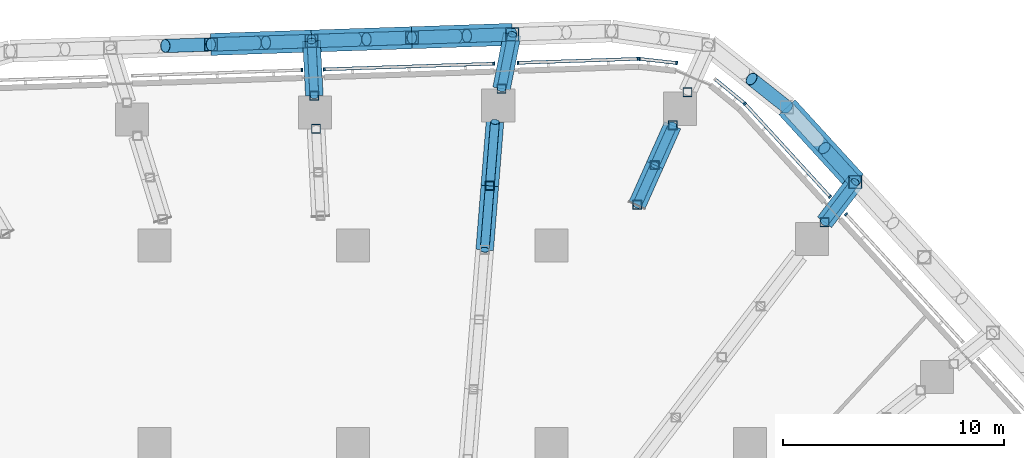
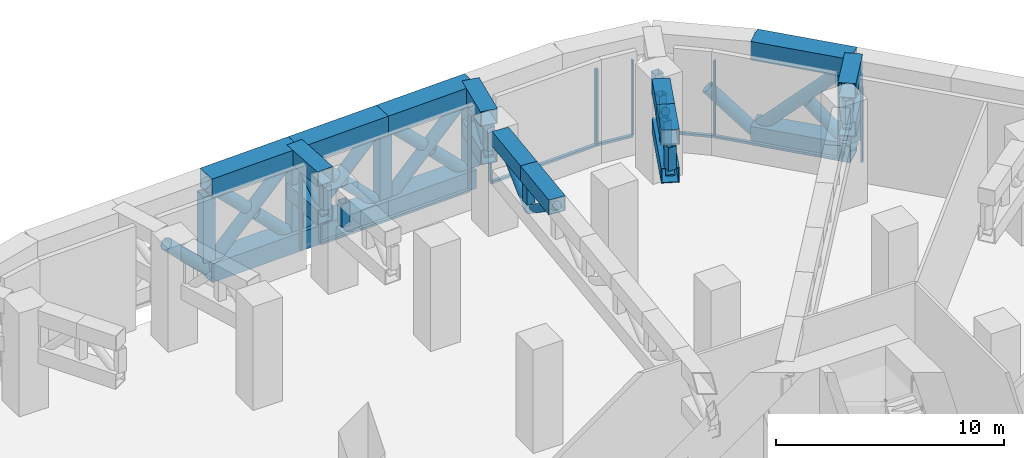
# One storey, part 14 of 38: 68 members, 3 elements without a shape of their own.
"""IFC4 building model written with IfcOpenShell, lengths in metres."""

from ifc_helpers import new_model, si_unit, direction, frame, origin, origin_2d, place, context, subcontext, project, spatial, rectangle, hollow_rectangle, hollow_circle, extrude, material, layer, layer_set, material_profile, profile_set, type_object, element, aggregate, save


model = new_model("IFC4")

# Units and contexts
model_context = context("Model", 3, precision=1e-05, world=origin(), true_north=direction((0.0, 1.0)))
body_context = subcontext(model_context, "Body", "Model", "MODEL_VIEW")
ifc_project = project(units=[si_unit("LENGTHUNIT", "METRE"), si_unit("AREAUNIT", "SQUARE_METRE"), si_unit("VOLUMEUNIT", "CUBIC_METRE"), si_unit("PLANEANGLEUNIT", "RADIAN"), si_unit("MASSUNIT", "GRAM", prefix="KILO")], contexts=[model_context])

# Site, building, storey
site_placement = place(None, origin())
site = spatial("IfcSite", under=ifc_project, at=site_placement, CompositionType="ELEMENT")
building_placement = place(site_placement, origin())
building = spatial("IfcBuilding", under=site, at=building_placement, Name="Dongbaek Canopy Tower", CompositionType="ELEMENT")
storey_placement = place(building_placement, frame((0.0, 0.0, 89.199951171875)))
storey = spatial("IfcBuildingStorey", under=building, at=storey_placement, Name="L18", CompositionType="ELEMENT", Elevation=89.199951171875)

# Members
ifc_material_1 = material(Name="Steel S355", Category="steel")
ifc_material_profile_1 = material_profile(ifc_material_1, hollow_circle(Radius=0.304931640625, WallThickness=0.01611328125, at=origin_2d()), Name="BELT BRACE CHS 610.0x16.0 Steel S355")
ifc_profile_set_1 = profile_set([ifc_material_profile_1], Name="Steel S355")
member_type_1 = type_object("IfcMemberType", Name="BELT BRACE CHS 610.0x16.0 Steel S355", PredefinedType="BRACE", material=ifc_profile_set_1)
member_1_placement = place(storey_placement, frame((-6.436279296875, 36.10888671875, 0.5), z_axis=(-0.707786585212, -0.023682147507, 0.706029252711), x_axis=(0.033440732886, -0.999440702285, 0.0)))
element("IfcMember", 1, at=member_1_placement, inside=storey, type_object=member_type_1, Name="BELT:L18:14:D0:1", PredefinedType="BRACE", context=body_context, shape_type="SweptSolid", body=[
    extrude(hollow_circle(Radius=0.304931640625, WallThickness=0.01611328125, at=origin_2d()), origin(), (0.0, 0.0, 1.0), 2.91748046875),
])
member_2_placement = place(storey_placement, frame((-6.436279296875, 36.10888671875, 0.5), z_axis=(0.70777869753, 0.023715113454, 0.706036053411), x_axis=(-0.033487603554, 0.999439132918, 0.0)))
element("IfcMember", 2, at=member_2_placement, inside=storey, type_object=member_type_1, Name="BELT:L18:14:D1:0", PredefinedType="BRACE", context=body_context, shape_type="SweptSolid", body=[
    extrude(hollow_circle(Radius=0.304931640625, WallThickness=0.01611328125, at=origin_2d()), origin(), (0.0, 0.0, 1.0), 6.444580078125),
])
for number, where, z_axis, x_axis, name in (
    (3, (-1.875, 36.26171875, 0.5), (-0.707744820741, -0.023683550227, 0.706071071609), (0.03344468267, -0.99944057012, 0.0), "BELT:L18:14:D1:1"),
    (4, (-6.436279296875, 36.10888671875, 5.050048828125), (0.707744820741, 0.023683550227, -0.706071071609), (-0.03344468267, 0.99944057012, 0.0), "BELT:L18:14:D1:2"),
):
    element("IfcMember", number, at=place(storey_placement, frame(where, z_axis=z_axis, x_axis=x_axis)), inside=storey, type_object=member_type_1, Name=name, PredefinedType="BRACE", context=body_context, shape_type="SweptSolid", body=[
        extrude(hollow_circle(Radius=0.304931640625, WallThickness=0.01611328125, at=origin_2d()), origin(), (0.0, 0.0, 1.0), 2.917236328125),
    ])
member_3_placement = place(storey_placement, frame((-1.875, 36.26171875, 0.5), z_axis=(0.706890350067, 0.023631288264, 0.706928281509), x_axis=(-0.033411256262, 0.999441688121, 0.0)))
element("IfcMember", 5, at=member_3_placement, inside=storey, type_object=member_type_1, Name="BELT:L18:15:D0:0", PredefinedType="BRACE", context=body_context, shape_type="SweptSolid", body=[
    extrude(hollow_circle(Radius=0.304931640625, WallThickness=0.01611328125, at=origin_2d()), origin(), (0.0, 0.0, 1.0), 6.436279296875),
])
member_4_placement = place(storey_placement, frame((2.6748046875, 36.413818359375, 0.5), z_axis=(-0.706867400689, -0.023632081446, 0.706951202396), x_axis=(0.033413460021, -0.999441614448, 0.0)))
element("IfcMember", 6, at=member_4_placement, inside=storey, type_object=member_type_1, Name="BELT:L18:15:D0:1", PredefinedType="BRACE", context=body_context, shape_type="SweptSolid", body=[
    extrude(hollow_circle(Radius=0.304931640625, WallThickness=0.01611328125, at=origin_2d()), origin(), (0.0, 0.0, 1.0), 2.913330078125),
])
member_5_placement = place(storey_placement, frame((-1.875, 36.26171875, 5.050048828125), z_axis=(0.706909279381, 0.023633481539, -0.706909279381), x_axis=(-0.033413460021, 0.999441614448, 0.0)))
element("IfcMember", 7, at=member_5_placement, inside=storey, type_object=member_type_1, Name="BELT:L18:15:D0:2", PredefinedType="BRACE", context=body_context, shape_type="SweptSolid", body=[
    extrude(hollow_circle(Radius=0.304931640625, WallThickness=0.01611328125, at=origin_2d()), origin(), (0.0, 0.0, 1.0), 2.9130859375),
])
member_6_placement = place(storey_placement, frame((2.6748046875, 36.413818359375, 0.5), z_axis=(0.706889715925, 0.023669198473, 0.706927647333), x_axis=(-0.033464825875, 0.999439895856, 0.0)))
element("IfcMember", 8, at=member_6_placement, inside=storey, type_object=member_type_1, Name="BELT:L18:15:D1:0", PredefinedType="BRACE", context=body_context, shape_type="SweptSolid", body=[
    extrude(hollow_circle(Radius=0.304931640625, WallThickness=0.01611328125, at=origin_2d()), origin(), (0.0, 0.0, 1.0), 6.436279296875),
])
member_7_placement = place(storey_placement, frame((7.224609375, 36.566162109375, 0.5), z_axis=(-0.706867400689, -0.023632081446, 0.706951202396), x_axis=(0.033413460021, -0.999441614448, 0.0)))
element("IfcMember", 9, at=member_7_placement, inside=storey, type_object=member_type_1, Name="BELT:L18:15:D1:1", PredefinedType="BRACE", context=body_context, shape_type="SweptSolid", body=[
    extrude(hollow_circle(Radius=0.304931640625, WallThickness=0.01611328125, at=origin_2d()), origin(), (0.0, 0.0, 1.0), 2.913330078125),
])
member_8_placement = place(storey_placement, frame((2.6748046875, 36.413818359375, 5.050048828125), z_axis=(0.706907876768, 0.023717241153, -0.706907876768), x_axis=(-0.033531814477, 0.99943765059, 0.0)))
element("IfcMember", 10, at=member_8_placement, inside=storey, type_object=member_type_1, Name="BELT:L18:15:D1:2", PredefinedType="BRACE", context=body_context, shape_type="SweptSolid", body=[
    extrude(hollow_circle(Radius=0.304931640625, WallThickness=0.01611328125, at=origin_2d()), origin(), (0.0, 0.0, 1.0), 2.9130859375),
])
member_9_placement = place(storey_placement, frame((19.67529296875, 33.265380859375, 0.5), z_axis=(-0.553096039164, 0.438815834321, 0.708184605178), x_axis=(-0.621528129287, -0.78339184608, 0.0)))
element("IfcMember", 11, at=member_9_placement, inside=storey, type_object=member_type_1, Name="BELT:L18:17:D0:1", PredefinedType="BRACE", context=body_context, shape_type="SweptSolid", body=[
    extrude(hollow_circle(Radius=0.304931640625, WallThickness=0.01611328125, at=origin_2d()), origin(), (0.0, 0.0, 1.0), 2.907470703125),
])
member_10_placement = place(storey_placement, frame((19.67529296875, 33.265380859375, 0.5), z_axis=(0.479109796888, -0.524214038589, 0.704026593441), x_axis=(0.738149139204, 0.6746375681, 0.0)))
element("IfcMember", 12, at=member_10_placement, inside=storey, type_object=member_type_1, Name="BELT:L18:17:D1:0", PredefinedType="BRACE", context=body_context, shape_type="SweptSolid", body=[
    extrude(hollow_circle(Radius=0.304931640625, WallThickness=0.01611328125, at=origin_2d()), origin(), (0.0, 0.0, 1.0), 6.462890625),
])
member_11_placement = place(storey_placement, frame((22.771728515625, 29.87744140625, 0.5), z_axis=(-0.479103599596, 0.524235942863, 0.704014500607), x_axis=(-0.738167522248, -0.674617453894, 0.0)))
element("IfcMember", 13, at=member_11_placement, inside=storey, type_object=member_type_1, Name="BELT:L18:17:D1:1", PredefinedType="BRACE", context=body_context, shape_type="SweptSolid", body=[
    extrude(hollow_circle(Radius=0.304931640625, WallThickness=0.01611328125, at=origin_2d()), origin(), (0.0, 0.0, 1.0), 2.926513671875),
])
ifc_material_2 = material(Name="Steel S355", Category="steel")
ifc_material_profile_2 = material_profile(ifc_material_2, hollow_rectangle(XDim=1.0, YDim=1.0, WallThickness=0.050048828125, at=origin_2d()), Name="BELT CHORD BOX 1000x1000x50 Steel S355")
ifc_profile_set_2 = profile_set([ifc_material_profile_2], Name="Steel S355")
member_type_2 = type_object("IfcMemberType", Name="BELT CHORD BOX 1000x1000x50 Steel S355", PredefinedType="CHORD", material=ifc_profile_set_2)
for number, where, z_axis, x_axis, name in (
    (14, (-6.436279296875, 36.10888671875, 0.5), (0.999439132918, 0.033487603554, 0.0), (-0.033487603554, 0.999439132918, 0.0), "BELT:L18:14:CB1"),
    (15, (-6.436279296875, 36.10888671875, 5.050048828125), (0.999439132918, 0.033487603554, 0.0), (-0.033487603554, 0.999439132918, 0.0), "BELT:L18:14:CT1"),
):
    element("IfcMember", number, at=place(storey_placement, frame(where, z_axis=z_axis, x_axis=x_axis)), inside=storey, type_object=member_type_2, Name=name, PredefinedType="CHORD", context=body_context, shape_type="SweptSolid", body=[
        extrude(hollow_rectangle(XDim=1.0, YDim=1.0, WallThickness=0.050048828125, at=origin_2d()), origin(), (0.0, 0.0, 1.0), 4.563720703125),
    ])
for number, where, z_axis, x_axis, name in (
    (16, (-1.875, 36.26171875, 0.5), (0.999441688121, 0.033411256262, 0.0), (-0.033411256262, 0.999441688121, 0.0), "BELT:L18:15:CB0"),
    (17, (-1.875, 36.26171875, 5.050048828125), (0.999441688121, 0.033411256262, 0.0), (-0.033411256262, 0.999441688121, 0.0), "BELT:L18:15:CT0"),
    (18, (2.6748046875, 36.413818359375, 0.5), (0.999439895856, 0.033464825875, 0.0), (-0.033464825875, 0.999439895856, 0.0), "BELT:L18:15:CB1"),
    (19, (2.6748046875, 36.413818359375, 5.050048828125), (0.999439895856, 0.033464825875, 0.0), (-0.033464825875, 0.999439895856, 0.0), "BELT:L18:15:CT1"),
):
    element("IfcMember", number, at=place(storey_placement, frame(where, z_axis=z_axis, x_axis=x_axis)), inside=storey, type_object=member_type_2, Name=name, PredefinedType="CHORD", context=body_context, shape_type="SweptSolid", body=[
        extrude(hollow_rectangle(XDim=1.0, YDim=1.0, WallThickness=0.050048828125, at=origin_2d()), origin(), (0.0, 0.0, 1.0), 4.55224609375),
    ])
for number, where, z_axis, x_axis, name in (
    (20, (19.67529296875, 33.265380859375, 0.5), (0.6746375681, -0.738149139204, 0.0), (0.738149139204, 0.6746375681, 0.0), "BELT:L18:17:CB1"),
    (21, (19.67529296875, 33.265380859375, 5.050048828125), (0.6746375681, -0.738149139204, 0.0), (0.738149139204, 0.6746375681, 0.0), "BELT:L18:17:CT1"),
):
    element("IfcMember", number, at=place(storey_placement, frame(where, z_axis=z_axis, x_axis=x_axis)), inside=storey, type_object=member_type_2, Name=name, PredefinedType="CHORD", context=body_context, shape_type="SweptSolid", body=[
        extrude(hollow_rectangle(XDim=1.0, YDim=1.0, WallThickness=0.050048828125, at=origin_2d()), origin(), (0.0, 0.0, 1.0), 4.58984375),
    ])
ifc_material_3 = material(Name="Steel S355", Category="steel")
ifc_material_profile_3 = material_profile(ifc_material_3, hollow_rectangle(XDim=0.60009765625, YDim=0.60009765625, WallThickness=0.031982421875, at=origin_2d()), Name="BELT POST BOX 600x600x32 Steel S355")
ifc_profile_set_3 = profile_set([ifc_material_profile_3], Name="Steel S355")
member_type_3 = type_object("IfcMemberType", Name="BELT POST BOX 600x600x32 Steel S355", PredefinedType="POST", material=ifc_profile_set_3)
for number, where, z_axis, x_axis, name in (
    (22, (-6.436279296875, 36.10888671875, 1.0), (0.0, 0.0, 1.0), (1.0, 0.0, 0.0), "BELT:L18:14:P1"),
    (23, (-1.875, 36.26171875, 1.0), (0.0, 0.0, 1.0), (1.0, 0.0, 0.0), "BELT:L18:15:P0"),
    (24, (2.6748046875, 36.413818359375, 1.0), (0.0, 0.0, 1.0), (1.0, 0.0, 0.0), "BELT:L18:15:P1"),
    (25, (7.224609375, 36.566162109375, 1.0), (0.0, 0.0, 1.0), (1.0, 0.0, 0.0), "BELT:L18:16:P0"),
    (26, (22.771728515625, 29.87744140625, 1.0), (0.0, 0.0, 1.0), (1.0, 0.0, 0.0), "BELT:L18:18:P0"),
):
    element("IfcMember", number, at=place(storey_placement, frame(where, z_axis=z_axis, x_axis=x_axis)), inside=storey, type_object=member_type_3, Name=name, PredefinedType="POST", context=body_context, shape_type="SweptSolid", body=[
        extrude(hollow_rectangle(XDim=0.60009765625, YDim=0.60009765625, WallThickness=0.031982421875, at=origin_2d()), origin(), (0.0, 0.0, 1.0), 3.550048828125),
    ])
ifc_material_4 = material(Name="Steel S355", Category="steel")
ifc_material_profile_4 = material_profile(ifc_material_4, hollow_circle(Radius=0.203125, WallThickness=0.0126953125, at=origin_2d()), Name="BRACE CHS 406.4x12.7 Steel S355")
ifc_profile_set_4 = profile_set([ifc_material_profile_4], Name="Steel S355")
member_type_4 = type_object("IfcMemberType", Name="BRACE CHS 406.4x12.7 Steel S355", PredefinedType="BRACE", material=ifc_profile_set_4)
for number, where, z_axis, x_axis, name in (
    (27, (12.8837890625, 28.837646484375, 3.10009765625), (0.282943088052, 0.633470035875, 0.720179784896), (-0.913060623809, 0.407823855665, 0.0), "TRUSS:L18:17:D0"),
    (28, (13.689208984375, 30.640869140625, 5.150146484375), (0.283021985323, 0.633454661695, -0.72016230629), (-0.913014588027, 0.407926907729, 0.0), "TRUSS:L18:17:D1"),
):
    element("IfcMember", number, at=place(storey_placement, frame(where, z_axis=z_axis, x_axis=x_axis)), inside=storey, type_object=member_type_4, Name=name, PredefinedType="BRACE", context=body_context, shape_type="SweptSolid", body=[
        extrude(hollow_circle(Radius=0.203125, WallThickness=0.0126953125, at=origin_2d()), origin(), (0.0, 0.0, 1.0), 2.8466796875),
    ])
member_12_placement = place(storey_placement, frame((-1.746826171875, 33.781982421875, 3.10009765625), z_axis=(-0.039805880319, 0.770111097913, 0.636666622938), x_axis=(-0.998666820762, -0.051619580673, 0.0)))
element("IfcMember", 29, at=member_12_placement, inside=storey, type_object=member_type_4, Name="TRUSS:L18:15x:D0", PredefinedType="BRACE", context=body_context, shape_type="SweptSolid", body=[
    extrude(hollow_circle(Radius=0.203125, WallThickness=0.0126953125, at=origin_2d()), origin(), (0.0, 0.0, 1.0), 3.219970703125),
])
member_13_placement = place(storey_placement, frame((6.7373046875, 34.09912109375, 3.10009765625), z_axis=(0.150196381468, 0.760387993353, 0.631863234061), x_axis=(-0.981044653656, 0.193781803928, 0.0)))
element("IfcMember", 30, at=member_13_placement, inside=storey, type_object=member_type_4, Name="TRUSS:L18:16x:D0", PredefinedType="BRACE", context=body_context, shape_type="SweptSolid", body=[
    extrude(hollow_circle(Radius=0.203125, WallThickness=0.0126953125, at=origin_2d()), origin(), (0.0, 0.0, 1.0), 3.244384765625),
])
member_14_placement = place(storey_placement, frame((21.376708984375, 28.047119140625, 3.10009765625), z_axis=(0.452631277424, 0.593870613729, 0.665163604572), x_axis=(-0.795329427452, 0.606177450775, 0.0)))
element("IfcMember", 31, at=member_14_placement, inside=storey, type_object=member_type_4, Name="TRUSS:L18:18x:D0", PredefinedType="BRACE", context=body_context, shape_type="SweptSolid", body=[
    extrude(hollow_circle(Radius=0.203125, WallThickness=0.0126953125, at=origin_2d()), origin(), (0.0, 0.0, 1.0), 3.08203125),
])
ifc_material_5 = material(Name="Steel S355", Category="steel")
ifc_material_profile_5 = material_profile(ifc_material_5, hollow_rectangle(XDim=0.800048828125, YDim=0.800048828125, WallThickness=0.0400390625, at=origin_2d()), Name="CHORD BOX 800x800x40 Steel S355")
ifc_profile_set_5 = profile_set([ifc_material_profile_5], Name="Steel S355")
member_type_5 = type_object("IfcMemberType", Name="CHORD BOX 800x800x40 Steel S355", PredefinedType="CHORD", material=ifc_profile_set_5)
member_15_placement = place(storey_placement, frame((12.8837890625, 28.837646484375, 3.10009765625), z_axis=(0.407875383646, 0.913037606792, 0.0), x_axis=(-0.913037606792, 0.407875383646, 0.0)))
element("IfcMember", 32, at=member_15_placement, inside=storey, type_object=member_type_5, Name="TRUSS:L18:17:CB", PredefinedType="CHORD", context=body_context, shape_type="SweptSolid", body=[
    extrude(hollow_rectangle(XDim=0.800048828125, YDim=0.800048828125, WallThickness=0.0400390625, at=origin_2d()), origin(), (0.0, 0.0, 1.0), 3.949951171875),
])
member_16_placement = place(storey_placement, frame((12.8837890625, 28.837646484375, 5.150146484375), z_axis=(0.407823855665, 0.913060623809, 0.0), x_axis=(-0.913060623809, 0.407823855665, 0.0)))
element("IfcMember", 33, at=member_16_placement, inside=storey, type_object=member_type_5, Name="TRUSS:L18:17:CT0", PredefinedType="CHORD", context=body_context, shape_type="SweptSolid", body=[
    extrude(hollow_rectangle(XDim=0.800048828125, YDim=0.800048828125, WallThickness=0.0400390625, at=origin_2d()), origin(), (0.0, 0.0, 1.0), 1.974853515625),
])
member_17_placement = place(storey_placement, frame((13.689208984375, 30.640869140625, 5.150146484375), z_axis=(0.407926907729, 0.913014588027, 0.0), x_axis=(-0.913014588027, 0.407926907729, 0.0)))
element("IfcMember", 34, at=member_17_placement, inside=storey, type_object=member_type_5, Name="TRUSS:L18:17:CT1", PredefinedType="CHORD", context=body_context, shape_type="SweptSolid", body=[
    extrude(hollow_rectangle(XDim=0.800048828125, YDim=0.800048828125, WallThickness=0.0400390625, at=origin_2d()), origin(), (0.0, 0.0, 1.0), 1.97509765625),
])
for number, where, z_axis, x_axis, name in (
    (35, (-1.746826171875, 33.781982421875, 3.10009765625), (-0.051619580673, 0.998666820762, 0.0), (-0.998666820762, -0.051619580673, 0.0), "TRUSS:L18:15x:CB"),
    (36, (-1.746826171875, 33.781982421875, 5.150146484375), (-0.051619580673, 0.998666820762, 0.0), (-0.998666820762, -0.051619580673, 0.0), "TRUSS:L18:15x:CT0"),
):
    element("IfcMember", number, at=place(storey_placement, frame(where, z_axis=z_axis, x_axis=x_axis)), inside=storey, type_object=member_type_5, Name=name, PredefinedType="CHORD", context=body_context, shape_type="SweptSolid", body=[
        extrude(hollow_rectangle(XDim=0.800048828125, YDim=0.800048828125, WallThickness=0.0400390625, at=origin_2d()), origin(), (0.0, 0.0, 1.0), 2.483154296875),
    ])
for number, where, z_axis, x_axis, name in (
    (37, (6.7373046875, 34.09912109375, 3.10009765625), (0.193781803928, 0.981044653656, 0.0), (-0.981044653656, 0.193781803928, 0.0), "TRUSS:L18:16x:CB"),
    (38, (6.7373046875, 34.09912109375, 5.150146484375), (0.193781803928, 0.981044653656, 0.0), (-0.981044653656, 0.193781803928, 0.0), "TRUSS:L18:16x:CT0"),
):
    element("IfcMember", number, at=place(storey_placement, frame(where, z_axis=z_axis, x_axis=x_axis)), inside=storey, type_object=member_type_5, Name=name, PredefinedType="CHORD", context=body_context, shape_type="SweptSolid", body=[
        extrude(hollow_rectangle(XDim=0.800048828125, YDim=0.800048828125, WallThickness=0.0400390625, at=origin_2d()), origin(), (0.0, 0.0, 1.0), 2.5146484375),
    ])
for number, where, z_axis, x_axis, name in (
    (39, (21.376708984375, 28.047119140625, 3.10009765625), (0.606177450775, 0.795329427452, 0.0), (-0.795329427452, 0.606177450775, 0.0), "TRUSS:L18:18x:CB"),
    (40, (21.376708984375, 28.047119140625, 5.150146484375), (0.606177450775, 0.795329427452, 0.0), (-0.795329427452, 0.606177450775, 0.0), "TRUSS:L18:18x:CT0"),
):
    element("IfcMember", number, at=place(storey_placement, frame(where, z_axis=z_axis, x_axis=x_axis)), inside=storey, type_object=member_type_5, Name=name, PredefinedType="CHORD", context=body_context, shape_type="SweptSolid", body=[
        extrude(hollow_rectangle(XDim=0.800048828125, YDim=0.800048828125, WallThickness=0.0400390625, at=origin_2d()), origin(), (0.0, 0.0, 1.0), 2.30126953125),
    ])

# Curtain wall, members
ifc_material_6 = material(Name="Aluminium 6063-T6 pale anodised", Category="aluminium")
ifc_layer = layer(ifc_material_6, 0.14990234375)
ifc_layer_set = layer_set([ifc_layer], Name="CW-7 louvre curtain wall")
curtain_wall_type = type_object("IfcCurtainWallType", Name="CW-7 louvre curtain wall", PredefinedType="NOTDEFINED", material=ifc_layer_set)
curtain_wall_1_placement = place(storey_placement, origin())
curtain_wall_1 = element("IfcCurtainWall", 41, at=curtain_wall_1_placement, inside=storey, type_object=curtain_wall_type, Name="CW-7 louvre wall L18 F0", PredefinedType="NOTDEFINED")
ifc_material_7 = material(Name="Aluminium 6063-T6 pale anodised", Category="aluminium")
ifc_material_profile_6 = material_profile(ifc_material_7, rectangle(XDim=0.14990234375, YDim=0.080078125, at=origin_2d()), Name="CW-7 mullion 80 x 150")
ifc_profile_set_6 = profile_set([ifc_material_profile_6], Name="Aluminium 6063-T6 pale anodised")
member_type_6 = type_object("IfcMemberType", Name="CW-7 mullion 80 x 150", PredefinedType="MULLION", material=ifc_profile_set_6)
member_18_placement = place(storey_placement, frame((22.351318359375, 28.41064453125, 0.775146484375), z_axis=(0.0, 0.0, 1.0), x_axis=(0.738140821352, 0.674646668897, 0.0)))
member_18 = element("IfcMember", 42, at=member_18_placement, type_object=member_type_6, Name="CW-7 mullion L18 F0.3.2", PredefinedType="MULLION", context=body_context, shape_type="SweptSolid", body=[
    extrude(rectangle(XDim=0.14990234375, YDim=0.080078125, at=origin_2d()), origin(), (0.0, 0.0, 1.0), 4.0),
])
member_19_placement = place(storey_placement, frame((21.624755859375, 29.20556640625, 0.775146484375), z_axis=(0.0, 0.0, 1.0), x_axis=(0.738140821352, 0.674646668897, 0.0)))
member_19 = element("IfcMember", 43, at=member_19_placement, type_object=member_type_6, Name="CW-7 mullion L18 F0.4.1", PredefinedType="MULLION", context=body_context, shape_type="SweptSolid", body=[
    extrude(rectangle(XDim=0.14990234375, YDim=0.080078125, at=origin_2d()), origin(), (0.0, 0.0, 1.0), 4.0),
])
member_20_placement = place(storey_placement, frame((17.771240234375, 33.42138671875, 0.775146484375), z_axis=(0.0, 0.0, 1.0), x_axis=(0.738140821352, 0.674646668897, 0.0)))
member_20 = element("IfcMember", 44, at=member_20_placement, type_object=member_type_6, Name="CW-7 mullion L18 F0.4.2", PredefinedType="MULLION", context=body_context, shape_type="SweptSolid", body=[
    extrude(rectangle(XDim=0.14990234375, YDim=0.080078125, at=origin_2d()), origin(), (0.0, 0.0, 1.0), 4.0),
])

curtain_wall_2_placement = place(storey_placement, origin())
curtain_wall_2 = element("IfcCurtainWall", 45, at=curtain_wall_2_placement, inside=storey, type_object=curtain_wall_type, Name="CW-7 louvre wall L18 K1", PredefinedType="NOTDEFINED")
member_21_placement = place(storey_placement, frame((14.6767578125, 35.26708984375, 0.775146484375), z_axis=(0.0, 0.0, 1.0), x_axis=(0.110286668117, 0.993899819316, 0.0)))
member_21 = element("IfcMember", 46, at=member_21_placement, type_object=member_type_6, Name="CW-7 mullion L18 K1.2.1", PredefinedType="MULLION", context=body_context, shape_type="SweptSolid", body=[
    extrude(rectangle(XDim=0.14990234375, YDim=0.080078125, at=origin_2d()), origin(), (0.0, 0.0, 1.0), 4.0),
])
member_22_placement = place(storey_placement, frame((12.9873046875, 35.45458984375, 0.775146484375), z_axis=(0.0, 0.0, 1.0), x_axis=(0.110286668117, 0.993899819316, 0.0)))
member_22 = element("IfcMember", 47, at=member_22_placement, type_object=member_type_6, Name="CW-7 mullion L18 K1.2.2", PredefinedType="MULLION", context=body_context, shape_type="SweptSolid", body=[
    extrude(rectangle(XDim=0.14990234375, YDim=0.080078125, at=origin_2d()), origin(), (0.0, 0.0, 1.0), 4.0),
])

curtain_wall_3_placement = place(storey_placement, origin())
curtain_wall_3 = element("IfcCurtainWall", 48, at=curtain_wall_3_placement, inside=storey, type_object=curtain_wall_type, Name="CW-7 louvre wall L18 F1", PredefinedType="NOTDEFINED")
member_23_placement = place(storey_placement, frame((12.93701171875, 35.45654296875, 0.775146484375), z_axis=(0.0, 0.0, 1.0), x_axis=(-0.033442077166, 0.999440657305, 0.0)))
member_23 = element("IfcMember", 49, at=member_23_placement, type_object=member_type_6, Name="CW-7 mullion L18 F1.1.1", PredefinedType="MULLION", context=body_context, shape_type="SweptSolid", body=[
    extrude(rectangle(XDim=0.14990234375, YDim=0.080078125, at=origin_2d()), origin(), (0.0, 0.0, 1.0), 4.0),
])
member_24_placement = place(storey_placement, frame((7.483154296875, 35.274169921875, 0.775146484375), z_axis=(0.0, 0.0, 1.0), x_axis=(-0.033442077166, 0.999440657305, 0.0)))
member_24 = element("IfcMember", 50, at=member_24_placement, type_object=member_type_6, Name="CW-7 mullion L18 F1.1.2", PredefinedType="MULLION", context=body_context, shape_type="SweptSolid", body=[
    extrude(rectangle(XDim=0.14990234375, YDim=0.080078125, at=origin_2d()), origin(), (0.0, 0.0, 1.0), 4.0),
])
member_25_placement = place(storey_placement, frame((6.384765625, 35.2373046875, 0.775146484375), z_axis=(0.0, 0.0, 1.0), x_axis=(-0.033442077166, 0.999440657305, 0.0)))
member_25 = element("IfcMember", 51, at=member_25_placement, type_object=member_type_6, Name="CW-7 mullion L18 F1.2.1", PredefinedType="MULLION", context=body_context, shape_type="SweptSolid", body=[
    extrude(rectangle(XDim=0.14990234375, YDim=0.080078125, at=origin_2d()), origin(), (0.0, 0.0, 1.0), 4.0),
])
member_26_placement = place(storey_placement, frame((-1.302001953125, 34.97998046875, 0.775146484375), z_axis=(0.0, 0.0, 1.0), x_axis=(-0.033442077166, 0.999440657305, 0.0)))
member_26 = element("IfcMember", 52, at=member_26_placement, type_object=member_type_6, Name="CW-7 mullion L18 F1.2.2", PredefinedType="MULLION", context=body_context, shape_type="SweptSolid", body=[
    extrude(rectangle(XDim=0.14990234375, YDim=0.080078125, at=origin_2d()), origin(), (0.0, 0.0, 1.0), 4.0),
])
member_27_placement = place(storey_placement, frame((-2.30908203125, 34.9462890625, 0.775146484375), z_axis=(0.0, 0.0, 1.0), x_axis=(-0.033442077166, 0.999440657305, 0.0)))
member_27 = element("IfcMember", 53, at=member_27_placement, type_object=member_type_6, Name="CW-7 mullion L18 F1.3.1", PredefinedType="MULLION", context=body_context, shape_type="SweptSolid", body=[
    extrude(rectangle(XDim=0.14990234375, YDim=0.080078125, at=origin_2d()), origin(), (0.0, 0.0, 1.0), 4.0),
])

# Member
ifc_material_8 = material(Name="Aluminium 6063-T6 pale anodised", Category="aluminium")
ifc_material_profile_7 = material_profile(ifc_material_8, rectangle(XDim=0.14990234375, YDim=0.1201171875, at=origin_2d()), Name="CW-7 transom 120 x 150")
ifc_profile_set_7 = profile_set([ifc_material_profile_7], Name="Aluminium 6063-T6 pale anodised")
member_type_7 = type_object("IfcMemberType", Name="CW-7 transom 120 x 150", PredefinedType="USERDEFINED", material=ifc_profile_set_7)
member_28_placement = place(storey_placement, frame((21.624755859375, 29.20556640625, 0.715087890625), z_axis=(-0.674678725965, 0.738111520524, 0.0), x_axis=(-0.738111520524, -0.674678725965, 0.0)))
member_28 = element("IfcMember", 54, at=member_28_placement, type_object=member_type_7, Name="CW-7 transom L18 F0.4", ObjectType="TRANSOM", PredefinedType="USERDEFINED", context=body_context, shape_type="SweptSolid", body=[
    extrude(rectangle(XDim=0.14990234375, YDim=0.1201171875, at=origin_2d()), origin(), (0.0, 0.0, 1.0), 5.711669921875),
])

aggregate(curtain_wall_1, [member_18, member_28, member_19, member_20])

member_29_placement = place(storey_placement, frame((17.73486328125, 33.4560546875, 0.715087890625), z_axis=(-0.773515598628, 0.633777262671, 0.0), x_axis=(-0.633777262671, -0.773515598628, 0.0)))
member_29 = element("IfcMember", 55, at=member_29_placement, type_object=member_type_7, Name="CW-7 transom L18 K1.1", ObjectType="TRANSOM", PredefinedType="USERDEFINED", context=body_context, shape_type="SweptSolid", body=[
    extrude(rectangle(XDim=0.14990234375, YDim=0.1201171875, at=origin_2d()), origin(), (0.0, 0.0, 1.0), 1.699951171875),
])

member_30_placement = place(storey_placement, frame((14.6767578125, 35.26708984375, 0.715087890625), z_axis=(-0.993897739047, 0.110305413813, 0.0), x_axis=(-0.110305413813, -0.993897739047, 0.0)))
member_30 = element("IfcMember", 56, at=member_30_placement, type_object=member_type_7, Name="CW-7 transom L18 K1.2", ObjectType="TRANSOM", PredefinedType="USERDEFINED", context=body_context, shape_type="SweptSolid", body=[
    extrude(rectangle(XDim=0.14990234375, YDim=0.1201171875, at=origin_2d()), origin(), (0.0, 0.0, 1.0), 1.69970703125),
])

aggregate(curtain_wall_2, [member_29, member_30, member_21, member_22])

member_31_placement = place(storey_placement, frame((12.93701171875, 35.45654296875, 0.715087890625), z_axis=(-0.999441375831, -0.033420596613, 0.0), x_axis=(0.033420596613, -0.999441375831, 0.0)))
member_31 = element("IfcMember", 57, at=member_31_placement, type_object=member_type_7, Name="CW-7 transom L18 F1.1", ObjectType="TRANSOM", PredefinedType="USERDEFINED", context=body_context, shape_type="SweptSolid", body=[
    extrude(rectangle(XDim=0.14990234375, YDim=0.1201171875, at=origin_2d()), origin(), (0.0, 0.0, 1.0), 5.456787109375),
])

member_32_placement = place(storey_placement, frame((6.384765625, 35.2373046875, 0.715087890625), z_axis=(-0.999440140572, -0.033457516537, 0.0), x_axis=(0.033457516537, -0.999440140572, 0.0)))
member_32 = element("IfcMember", 58, at=member_32_placement, type_object=member_type_7, Name="CW-7 transom L18 F1.2", ObjectType="TRANSOM", PredefinedType="USERDEFINED", context=body_context, shape_type="SweptSolid", body=[
    extrude(rectangle(XDim=0.14990234375, YDim=0.1201171875, at=origin_2d()), origin(), (0.0, 0.0, 1.0), 7.691162109375),
])

aggregate(curtain_wall_3, [member_31, member_23, member_24, member_32, member_25, member_26, member_27])

# Members
ifc_material_9 = material(Name="Steel S355", Category="steel")
ifc_material_profile_8 = material_profile(ifc_material_9, hollow_circle(Radius=0.203125, WallThickness=0.0126953125, at=origin_2d()), Name="OUTRIGGER BRACE CHS 406.4x12.7 Steel S355")
ifc_profile_set_8 = profile_set([ifc_material_profile_8], Name="Steel S355")
member_type_8 = type_object("IfcMemberType", Name="OUTRIGGER BRACE CHS 406.4x12.7 Steel S355", PredefinedType="BRACE", material=ifc_profile_set_8)
member_33_placement = place(storey_placement, frame((5.973388671875, 26.798095703125, 5.150146484375), z_axis=(0.065640414093, 0.814846519777, -0.57594833557), x_axis=(-0.996771107455, 0.080295450323, 0.0)))
element("IfcMember", 59, at=member_33_placement, inside=storey, type_object=member_type_8, Name="TRUSS:L18:16:D5", PredefinedType="BRACE", context=body_context, shape_type="SweptSolid", body=[
    extrude(hollow_circle(Radius=0.203125, WallThickness=0.0126953125, at=origin_2d()), origin(), (0.0, 0.0, 1.0), 3.559326171875),
])
member_34_placement = place(storey_placement, frame((6.20703125, 29.698486328125, 3.10009765625), z_axis=(0.065705035593, 0.814865895497, 0.575913553109), x_axis=(-0.996764930722, 0.080372090197, 0.0)))
element("IfcMember", 60, at=member_34_placement, inside=storey, type_object=member_type_8, Name="TRUSS:L18:16:D6", PredefinedType="BRACE", context=body_context, shape_type="SweptSolid", body=[
    extrude(hollow_circle(Radius=0.203125, WallThickness=0.0126953125, at=origin_2d()), origin(), (0.0, 0.0, 1.0), 3.5595703125),
])
ifc_material_10 = material(Name="Steel S355", Category="steel")
ifc_material_profile_9 = material_profile(ifc_material_10, hollow_rectangle(XDim=0.800048828125, YDim=0.800048828125, WallThickness=0.0400390625, at=origin_2d()), Name="OUTRIGGER CHORD BOX 800x800x40 Steel S355")
ifc_profile_set_9 = profile_set([ifc_material_profile_9], Name="Steel S355")
member_type_9 = type_object("IfcMemberType", Name="OUTRIGGER CHORD BOX 800x800x40 Steel S355", PredefinedType="CHORD", material=ifc_profile_set_9)
member_35_placement = place(storey_placement, frame((5.973388671875, 26.798095703125, 5.150146484375), z_axis=(0.080295450323, 0.996771107455, 0.0), x_axis=(-0.996771107455, 0.080295450323, 0.0)))
element("IfcMember", 61, at=member_35_placement, inside=storey, type_object=member_type_9, Name="TRUSS:L18:16:CT5", PredefinedType="CHORD", context=body_context, shape_type="SweptSolid", body=[
    extrude(hollow_rectangle(XDim=0.800048828125, YDim=0.800048828125, WallThickness=0.0400390625, at=origin_2d()), origin(), (0.0, 0.0, 1.0), 2.90966796875),
])
member_36_placement = place(storey_placement, frame((6.20703125, 29.698486328125, 5.150146484375), z_axis=(0.080372090197, 0.996764930722, 0.0), x_axis=(-0.996764930722, 0.080372090197, 0.0)))
element("IfcMember", 62, at=member_36_placement, inside=storey, type_object=member_type_9, Name="TRUSS:L18:16:CT6", PredefinedType="CHORD", context=body_context, shape_type="SweptSolid", body=[
    extrude(hollow_rectangle(XDim=0.800048828125, YDim=0.800048828125, WallThickness=0.0400390625, at=origin_2d()), origin(), (0.0, 0.0, 1.0), 2.91015625),
])
ifc_material_11 = material(Name="Steel S355", Category="steel")
ifc_material_profile_10 = material_profile(ifc_material_11, hollow_rectangle(XDim=0.39990234375, YDim=0.39990234375, WallThickness=0.01611328125, at=origin_2d()), Name="OUTRIGGER POST SHS 400x400x16 Steel S355")
ifc_profile_set_10 = profile_set([ifc_material_profile_10], Name="Steel S355")
member_type_10 = type_object("IfcMemberType", Name="OUTRIGGER POST SHS 400x400x16 Steel S355", PredefinedType="POST", material=ifc_profile_set_10)
member_37_placement = place(storey_placement, frame((6.20703125, 29.698486328125, 3.5), z_axis=(0.0, 0.0, 1.0), x_axis=(1.0, 0.0, 0.0)))
element("IfcMember", 63, at=member_37_placement, inside=storey, type_object=member_type_10, Name="TRUSS:L18:16:P6", PredefinedType="POST", context=body_context, shape_type="SweptSolid", body=[
    extrude(hollow_rectangle(XDim=0.39990234375, YDim=0.39990234375, WallThickness=0.01611328125, at=origin_2d()), origin(), (0.0, 0.0, 1.0), 1.25),
])
ifc_material_12 = material(Name="Steel S355", Category="steel")
ifc_material_profile_11 = material_profile(ifc_material_12, hollow_rectangle(XDim=0.39990234375, YDim=0.39990234375, WallThickness=0.01611328125, at=origin_2d()), Name="POST SHS 400x400x16 Steel S355")
ifc_profile_set_11 = profile_set([ifc_material_profile_11], Name="Steel S355")
member_type_11 = type_object("IfcMemberType", Name="POST SHS 400x400x16 Steel S355", PredefinedType="POST", material=ifc_profile_set_11)
for number, where, z_axis, x_axis, name in (
    (64, (-1.669189453125, 32.281982421875, 3.5), (0.0, 0.0, 1.0), (1.0, 0.0, 0.0), "TRUSS:L18:15:P2"),
    (65, (12.8837890625, 28.837646484375, 3.5), (0.0, 0.0, 1.0), (1.0, 0.0, 0.0), "TRUSS:L18:17:P0"),
    (66, (13.689208984375, 30.640869140625, 3.5), (0.0, 0.0, 1.0), (1.0, 0.0, 0.0), "TRUSS:L18:17:P1"),
    (67, (14.494873046875, 32.444091796875, 3.5), (0.0, 0.0, 1.0), (1.0, 0.0, 0.0), "TRUSS:L18:17:P2"),
    (68, (-1.746826171875, 33.781982421875, 3.5), (0.0, 0.0, 1.0), (1.0, 0.0, 0.0), "TRUSS:L18:15x:P0"),
    (69, (6.7373046875, 34.09912109375, 3.5), (0.0, 0.0, 1.0), (1.0, 0.0, 0.0), "TRUSS:L18:16x:P0"),
    (70, (15.1650390625, 33.944091796875, 3.5), (0.0, 0.0, 1.0), (1.0, 0.0, 0.0), "TRUSS:L18:17x:P0"),
    (71, (21.376708984375, 28.047119140625, 3.5), (0.0, 0.0, 1.0), (1.0, 0.0, 0.0), "TRUSS:L18:18x:P0"),
):
    element("IfcMember", number, at=place(storey_placement, frame(where, z_axis=z_axis, x_axis=x_axis)), inside=storey, type_object=member_type_11, Name=name, PredefinedType="POST", context=body_context, shape_type="SweptSolid", body=[
        extrude(hollow_rectangle(XDim=0.39990234375, YDim=0.39990234375, WallThickness=0.01611328125, at=origin_2d()), origin(), (0.0, 0.0, 1.0), 1.25),
    ])

save(model, "model.ifc")
